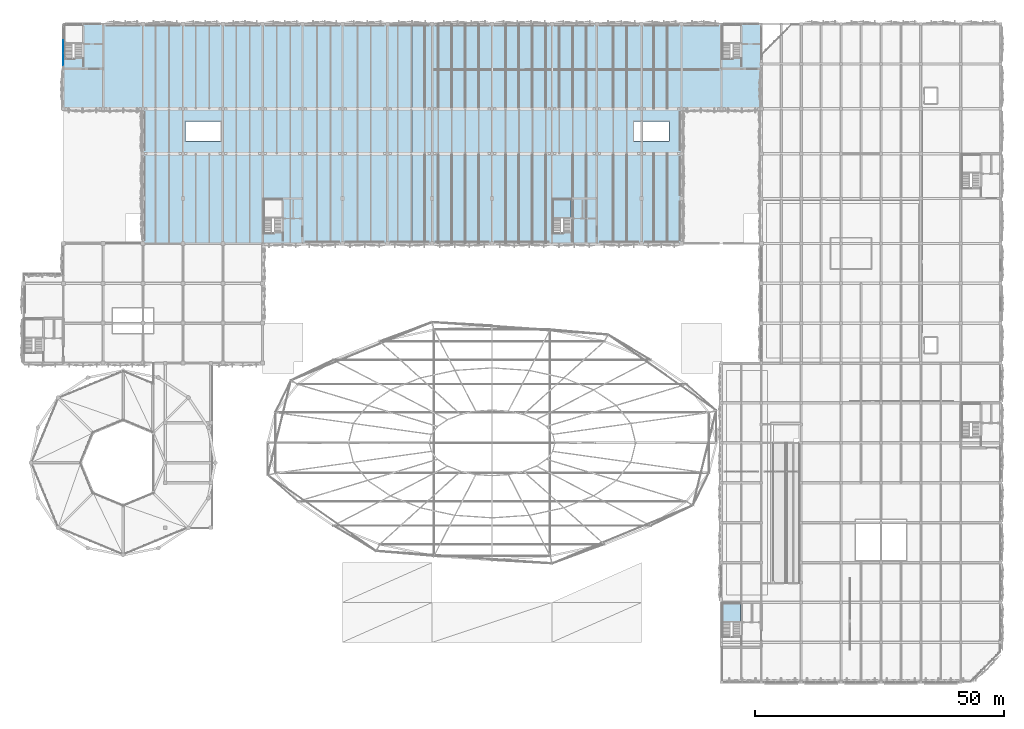
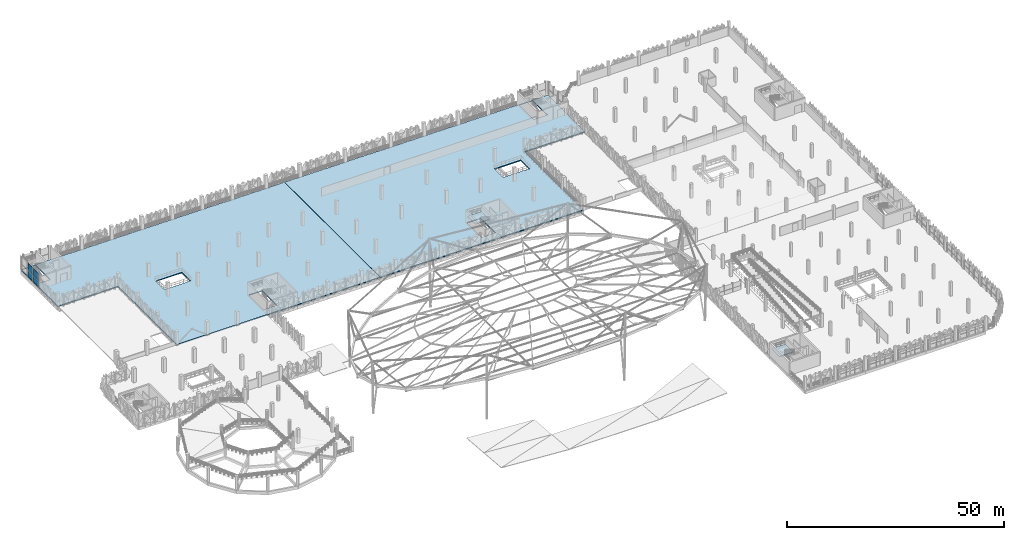
# One storey, part 37 of 96: 4 plates, 4 slabs, 3 elements without a shape of their own.
"""IFC4 building model written with IfcOpenShell, lengths in metres."""

import ifcopenshell
import ifcopenshell.guid

model = None  # the IFC model being written
_history = None  # IfcOwnerHistory: only IFC2X3 demands one
_inside = {}  # id of a spatial element -> (the spatial element, [elements in it])
_under = {}  # id of a project, library or spatial element -> (it, [spatial elements below it])
_declared = {}  # id of a project -> (the project, [libraries it declares])
_typed = {}  # id of a type object -> (the type object, [elements of that type])
_made_of = {}  # id of a material, layer set ... -> (it, [elements and type objects made of it])


def new_model(schema):
    """Start an empty IFC model of exactly this schema.

    Asked for "IFC4X3", IfcOpenShell would pick the latest addendum, in which some entities
    have other attributes; the version numbers below select the first issue.
    IFC2X3 requires an IfcOwnerHistory on every rooted entity: one is made here for all.
    """
    global model, _history
    if schema == "IFC4X3":
        model = ifcopenshell.file(schema_version=(4, 3, 0, 0))
    else:
        model = ifcopenshell.file(schema=schema)
    _inside.clear()
    _under.clear()
    _declared.clear()
    _typed.clear()
    _made_of.clear()
    _history = None
    if model.schema == "IFC2X3":
        org = make("IfcOrganization", Name="unknown")
        user = make(
            "IfcPersonAndOrganization",
            ThePerson=make("IfcPerson", FamilyName="unknown"),
            TheOrganization=org,
        )
        app = make(
            "IfcApplication",
            ApplicationDeveloper=org,
            Version="unknown",
            ApplicationFullName="unknown",
            ApplicationIdentifier="unknown",
        )
        _history = make(
            "IfcOwnerHistory",
            OwningUser=user,
            OwningApplication=app,
            ChangeAction="ADDED",
            CreationDate=0,
        )
    return model


def make(cls, **values):
    """One entity of the class cls with the attributes given. An attribute that is None is left unset."""
    return model.create_entity(
        cls, **{name: value for name, value in values.items() if value is not None}
    )


def rooted(cls, **values):
    """An entity with a GlobalId (a new one), such as an element, a storey or a relation."""
    return make(cls, GlobalId=ifcopenshell.guid.new(), OwnerHistory=_history, **values)


def si_unit(unit_type, name, prefix=None):
    """IfcSIUnit, for example si_unit("LENGTHUNIT", "METRE", prefix="MILLI")."""
    return make("IfcSIUnit", UnitType=unit_type, Prefix=prefix, Name=name)


def derived_unit(unit_type, elements):
    """IfcDerivedUnit: a product of units, each with its exponent."""
    return make(
        "IfcDerivedUnit",
        Elements=[
            make("IfcDerivedUnitElement", Unit=unit, Exponent=power)
            for unit, power in elements
        ],
        UnitType=unit_type,
    )


def assignment(units):
    """IfcUnitAssignment: the units of a project."""
    return None if units is None else make("IfcUnitAssignment", Units=units)


def point(xyz):
    """IfcCartesianPoint."""
    return None if xyz is None else make("IfcCartesianPoint", Coordinates=xyz)


def direction(xyz):
    """IfcDirection."""
    return None if xyz is None else make("IfcDirection", DirectionRatios=xyz)


def frame(location, z_axis=None, x_axis=None):
    """IfcAxis2Placement3D, a coordinate frame: its origin and axes. An axis left out is left unset."""
    return make(
        "IfcAxis2Placement3D",
        Location=point(location),
        Axis=direction(z_axis),
        RefDirection=direction(x_axis),
    )


def frame_2d(location, x_axis=None):
    """IfcAxis2Placement2D, a coordinate frame in the plane: its origin and x axis."""
    return make(
        "IfcAxis2Placement2D", Location=point(location), RefDirection=direction(x_axis)
    )


def origin():
    """The frame at (0, 0, 0) with its axes left unset."""
    return frame((0.0, 0.0, 0.0))


def origin_2d():
    """The frame at (0, 0) in the plane with its x axis left unset."""
    return frame_2d((0.0, 0.0))


def place(relative_to, where):
    """IfcLocalPlacement: puts the frame where relative to a parent placement (None: the world)."""
    return make(
        "IfcLocalPlacement", PlacementRelTo=relative_to, RelativePlacement=where
    )


def context(
    kind, dimensions, precision=None, world=None, true_north=None, identifier=None
):
    """IfcGeometricRepresentationContext, for example the 3D "Model" context."""
    return make(
        "IfcGeometricRepresentationContext",
        ContextIdentifier=identifier,
        ContextType=kind,
        CoordinateSpaceDimension=dimensions,
        Precision=precision,
        WorldCoordinateSystem=world,
        TrueNorth=true_north,
    )


def subcontext(parent, identifier, kind, view, scale=None):
    """IfcGeometricRepresentationSubContext, for example "Body" below "Model"."""
    return make(
        "IfcGeometricRepresentationSubContext",
        ContextIdentifier=identifier,
        ContextType=kind,
        ParentContext=parent,
        TargetScale=scale,
        TargetView=view,
    )


def project(units=None, contexts=None):
    """IfcProject with its units and contexts."""
    return rooted(
        "IfcProject",
        Name="project",
        RepresentationContexts=contexts,
        UnitsInContext=assignment(units),
    )


def spatial(cls, under=None, at=None, **own):
    """A site, building, storey or space (cls), placed at a placement, below another one or the project."""
    s = rooted(cls, ObjectPlacement=at, **own)
    if under is not None:
        _under.setdefault(under.id(), (under, []))[1].append(s)
    return s


def polyline(points):
    """IfcPolyline through the points."""
    return make("IfcPolyline", Points=[point(p) for p in points])


def profile(cls, at=None, kind="AREA", **sizes):
    """A parametric profile (cls). Its sizes go by their IFC names, for example OverallWidth=200.0."""
    return make(cls, ProfileType=kind, Position=at, **sizes)


def rectangle(**sizes):
    """IfcRectangleProfileDef."""
    return profile("IfcRectangleProfileDef", **sizes)


def outline(outer, holes=None, kind="AREA"):
    """IfcArbitraryClosedProfileDef: a profile drawn as a closed curve; with holes, ...WithVoids."""
    if holes is None:
        return make("IfcArbitraryClosedProfileDef", ProfileType=kind, OuterCurve=outer)
    return make(
        "IfcArbitraryProfileDefWithVoids",
        ProfileType=kind,
        OuterCurve=outer,
        InnerCurves=holes,
    )


def extrude(swept, where, along, depth):
    """IfcExtrudedAreaSolid: the profile swept, set in the frame where, extruded along a direction by depth."""
    return make(
        "IfcExtrudedAreaSolid",
        SweptArea=swept,
        Position=where,
        ExtrudedDirection=direction(along),
        Depth=depth,
    )


def shape(context_of_items, identifier, shape_type, items):
    """IfcShapeRepresentation: the items that make up one representation, for example the "Body"."""
    return make(
        "IfcShapeRepresentation",
        ContextOfItems=context_of_items,
        RepresentationIdentifier=identifier,
        RepresentationType=shape_type,
        Items=items,
    )


def material(Name=None, Category=None):
    """IfcMaterial."""
    return make("IfcMaterial", Name=Name, Category=Category)


def layer(
    of_material, thickness, ventilated=None, Name=None, Category=None, Priority=None
):
    """IfcMaterialLayer: one layer of a wall or slab, of a material (None: an air gap)."""
    return make(
        "IfcMaterialLayer",
        Material=of_material,
        LayerThickness=thickness,
        IsVentilated=ventilated,
        Name=Name,
        Category=Category,
        Priority=Priority,
    )


def layer_set(layers, Name=None):
    """IfcMaterialLayerSet."""
    return make("IfcMaterialLayerSet", MaterialLayers=layers, LayerSetName=Name)


def made_of(thing, what):
    """Note that an element or type object is made of a material, layer set ...; save() writes the relation."""
    if what is not None:
        _made_of.setdefault(what.id(), (what, []))[1].append(thing)
    return thing


def type_object(cls, material=None, **own):
    """A type object (cls), such as IfcWallType, which elements share."""
    return made_of(rooted(cls, **own), material)


def element(
    cls,
    number,
    at=None,
    inside=None,
    cuts=None,
    type_object=None,
    material=None,
    context=None,
    identifier="Body",
    shape_type=None,
    held_by="IfcProductDefinitionShape",
    body=None,
    shapes=None,
    **own,
):
    """One element of the class cls, such as IfcWall. Its Tag is "e" and its number.

    at: its placement. inside: the storey or other place that contains it. cuts: it is an
    opening in that element (IfcRelVoidsElement). A single representation is given by context,
    identifier, shape_type and body (its items); several are given by shapes. held_by: the class
    of the entity that holds the representations. save() writes the other relations.
    """
    e = rooted(cls, Tag="e%d" % number, ObjectPlacement=at, **own)
    if body is not None:
        shapes = [shape(context, identifier, shape_type, body)]
    if shapes is not None:
        e.Representation = make(held_by, Representations=shapes)
    if inside is not None:
        _inside.setdefault(inside.id(), (inside, []))[1].append(e)
    if cuts is not None:
        rooted(
            "IfcRelVoidsElement", RelatingBuildingElement=cuts, RelatedOpeningElement=e
        )
    if type_object is not None:
        _typed.setdefault(type_object.id(), (type_object, []))[1].append(e)
    return made_of(e, material)


def aggregate(whole, parts):
    """IfcRelAggregates: a whole, such as a stair, and the parts it consists of."""
    return rooted("IfcRelAggregates", RelatingObject=whole, RelatedObjects=parts)


def save(model, path):
    """Write the relations noted so far, then the file.

    IfcRelAggregates (storeys below a building ...), IfcRelContainedInSpatialStructure (elements
    in a storey), IfcRelDefinesByType, IfcRelAssociatesMaterial and IfcRelDeclares: one each for
    every whole, place, type object, material and project.
    """
    for whole, parts in _under.values():
        aggregate(whole, parts)
    for where, things in _inside.values():
        rooted(
            "IfcRelContainedInSpatialStructure",
            RelatedElements=things,
            RelatingStructure=where,
        )
    for kind, things in _typed.values():
        rooted("IfcRelDefinesByType", RelatedObjects=things, RelatingType=kind)
    for what, things in _made_of.values():
        rooted("IfcRelAssociatesMaterial", RelatedObjects=things, RelatingMaterial=what)
    for by, libraries in _declared.values():
        rooted("IfcRelDeclares", RelatingContext=by, RelatedDefinitions=libraries)
    model.write(path)


model = new_model("IFC4")

# Units and contexts
model_context = context("Model", 3, precision=1e-05, world=origin(), true_north=direction((0.0, 1.0)))
body_context = subcontext(model_context, "Body", "Model", "MODEL_VIEW")
ifc_project = project(units=[si_unit("LENGTHUNIT", "METRE"), si_unit("AREAUNIT", "SQUARE_METRE"), si_unit("VOLUMEUNIT", "CUBIC_METRE"), si_unit("PLANEANGLEUNIT", "RADIAN"), si_unit("MASSUNIT", "GRAM", prefix="KILO"), si_unit("THERMODYNAMICTEMPERATUREUNIT", "KELVIN"), derived_unit("THERMALTRANSMITTANCEUNIT", [(si_unit("POWERUNIT", "WATT"), 1), (si_unit("AREAUNIT", "SQUARE_METRE"), -1), (si_unit("THERMODYNAMICTEMPERATUREUNIT", "KELVIN"), -1)])], contexts=[model_context])

# Site, building, storey
site_placement = place(None, origin())
site = spatial("IfcSite", under=ifc_project, at=site_placement, CompositionType="ELEMENT")
building_placement = place(site_placement, origin())
building = spatial("IfcBuilding", under=site, at=building_placement, Name="Haiyu Intermodal Mobility Hub", CompositionType="ELEMENT")
storey_placement = place(building_placement, frame((0.0, 0.0, 9.5)))
storey = spatial("IfcBuildingStorey", under=building, at=storey_placement, Name="L02", CompositionType="ELEMENT", Elevation=9.5)

# Curtain wall, plates
ifc_material_1 = material(Name="Low-e laminated insulating glass", Category="glass")
ifc_layer_1 = layer(ifc_material_1, 0.199951171875)
ifc_layer_set_1 = layer_set([ifc_layer_1], Name="Low-e laminated insulating glass")
curtain_wall_type = type_object("IfcCurtainWallType", Name="CW-CW03", PredefinedType="NOTDEFINED", material=ifc_layer_set_1)
curtain_wall_placement = place(storey_placement, origin())
curtain_wall = element("IfcCurtainWall", 1, at=curtain_wall_placement, inside=storey, type_object=curtain_wall_type, Name="Curtain Wall CW-C3S-L02-054", PredefinedType="NOTDEFINED")
ifc_layer_2 = layer(ifc_material_1, 0.0400390625)
ifc_layer_set_2 = layer_set([ifc_layer_2], Name="Low-e laminated insulating glass")
plate_type_1 = type_object("IfcPlateType", Name="PLT-CP03", PredefinedType="CURTAIN_PANEL", material=ifc_layer_set_2)
plate_1_placement = place(storey_placement, frame((22.0, 143.5, 0.03515625), z_axis=(0.0, 0.0, 1.0), x_axis=(0.0, -1.0, 0.0)))
plate_1 = element("IfcPlate", 2, at=plate_1_placement, type_object=plate_type_1, Name="CW-C3S-L02-054-PN03", PredefinedType="CURTAIN_PANEL", context=body_context, shape_type="SweptSolid", body=[
    extrude(rectangle(XDim=2.469970703125, YDim=0.0400390625, at=origin_2d()), origin(), (0.0, 0.0, 1.0), 1.840087890625),
])
plate_2_placement = place(storey_placement, frame((22.0, 140.93994140625, 0.03515625), z_axis=(0.0, 0.0, 1.0), x_axis=(0.0, -1.0, 0.0)))
plate_2 = element("IfcPlate", 3, at=plate_2_placement, type_object=plate_type_1, Name="CW-C3S-L02-054-PN05", PredefinedType="CURTAIN_PANEL", context=body_context, shape_type="SweptSolid", body=[
    extrude(rectangle(XDim=2.469970703125, YDim=0.0400390625, at=origin_2d()), origin(), (0.0, 0.0, 1.0), 1.840087890625),
])
ifc_layer_3 = layer(ifc_material_1, 0.0439453125)
ifc_layer_set_3 = layer_set([ifc_layer_3], Name="Low-e laminated insulating glass")
plate_type_2 = type_object("IfcPlateType", Name="PLT-CP04", PredefinedType="CURTAIN_PANEL", material=ifc_layer_set_3)
plate_3_placement = place(storey_placement, frame((22.0, 143.5, 1.94482421875), z_axis=(0.0, 0.0, 1.0), x_axis=(0.0, -1.0, 0.0)))
plate_3 = element("IfcPlate", 4, at=plate_3_placement, type_object=plate_type_2, Name="CW-C3S-L02-054-PN04", PredefinedType="CURTAIN_PANEL", context=body_context, shape_type="SweptSolid", body=[
    extrude(rectangle(XDim=2.469970703125, YDim=0.0439453125, at=origin_2d()), origin(), (0.0, 0.0, 1.0), 1.840087890625),
])
plate_4_placement = place(storey_placement, frame((22.0, 140.93994140625, 1.94482421875), z_axis=(0.0, 0.0, 1.0), x_axis=(0.0, -1.0, 0.0)))
plate_4 = element("IfcPlate", 5, at=plate_4_placement, type_object=plate_type_2, Name="CW-C3S-L02-054-PN06", PredefinedType="CURTAIN_PANEL", context=body_context, shape_type="SweptSolid", body=[
    extrude(rectangle(XDim=2.469970703125, YDim=0.0439453125, at=origin_2d()), origin(), (0.0, 0.0, 1.0), 1.840087890625),
])
aggregate(curtain_wall, [plate_1, plate_3, plate_2, plate_4])

# Slabs
ifc_material_2 = material(Name="Concrete C40", Category="concrete")
ifc_layer_4 = layer(ifc_material_2, 0.219970703125)
ifc_layer_set_4 = layer_set([ifc_layer_4], Name="Concrete C40")
slab_type_1 = type_object("IfcSlabType", Name="SLB-SL04", PredefinedType="FLOOR", material=ifc_layer_set_4)
slab_1_placement = place(storey_placement, frame((0.0, 0.0, -0.264892578125)))
element("IfcSlab", 6, at=slab_1_placement, inside=storey, type_object=slab_type_1, Name="L02 Precast Parking West Deck", PredefinedType="FLOOR", context=body_context, shape_type="SweptSolid", body=[
    extrude(outline(polyline([(38.0, 104.0), (91.97998046875, 104.0), (91.97998046875, 148.0), (22.0, 148.0), (22.0, 131.0), (38.0, 131.0), (38.0, 104.0)]), holes=[polyline([(22.219970703125, 141.14990234375), (25.85009765625, 141.14990234375), (25.85009765625, 147.949951171875), (22.219970703125, 147.949951171875), (22.219970703125, 141.14990234375)]), polyline([(62.219970703125, 106.14990234375), (65.85009765625, 106.14990234375), (65.85009765625, 112.949951171875), (62.219970703125, 112.949951171875), (62.219970703125, 106.14990234375)]), polyline([(46.5, 124.5), (53.5, 124.5), (53.5, 128.5), (46.5, 128.5), (46.5, 124.5)])]), origin(), (0.0, 0.0, 1.0), 0.264892578125),
])
ifc_layer_5 = layer(ifc_material_2, 0.239990234375)
ifc_layer_set_5 = layer_set([ifc_layer_5], Name="Concrete C40")
slab_type_2 = type_object("IfcSlabType", Name="SLB-SL05", PredefinedType="FLOOR", material=ifc_layer_set_5)
slab_2_placement = place(storey_placement, frame((0.0, 0.0, -0.27490234375)))
element("IfcSlab", 7, at=slab_2_placement, inside=storey, type_object=slab_type_2, Name="L02 Precast Parking & EV East Deck", PredefinedType="FLOOR", context=body_context, shape_type="SweptSolid", body=[
    extrude(outline(polyline([(92.02001953125, 104.0), (146.0, 104.0), (146.0, 131.0), (162.0, 131.0), (162.0, 148.0), (92.02001953125, 148.0), (92.02001953125, 104.0)]), holes=[polyline([(154.219970703125, 141.14990234375), (157.85009765625, 141.14990234375), (157.85009765625, 147.949951171875), (154.219970703125, 147.949951171875), (154.219970703125, 141.14990234375)]), polyline([(120.219970703125, 106.14990234375), (123.85009765625, 106.14990234375), (123.85009765625, 112.949951171875), (120.219970703125, 112.949951171875), (120.219970703125, 106.14990234375)]), polyline([(136.5, 124.5), (143.5, 124.5), (143.5, 128.5), (136.5, 128.5), (136.5, 124.5)])]), origin(), (0.0, 0.0, 1.0), 0.27490234375),
])

# Stair, slab
stair_type_1 = type_object("IfcStairType", Name="STR-ST02", PredefinedType="HALF_TURN_STAIR", material=ifc_material_2)
stair_1_placement = place(storey_placement, origin())
stair_1 = element("IfcStair", 8, at=stair_1_placement, inside=storey, type_object=stair_type_1, Name="Exit Stair ST01 L02", PredefinedType="HALF_TURN_STAIR")
ifc_layer_6 = layer(ifc_material_2, 0.2099609375)
ifc_layer_set_6 = layer_set([ifc_layer_6], Name="Concrete C40")
slab_type_3 = type_object("IfcSlabType", Name="SLB-SL13", PredefinedType="LANDING", material=ifc_layer_set_6)
slab_3_placement = place(storey_placement, frame((0.0, 0.0, 1.739990234375)))
slab_3 = element("IfcSlab", 9, at=slab_3_placement, type_object=slab_type_3, Name="Stair Half-Landing STR-C6-L02-LND", PredefinedType="LANDING", context=body_context, shape_type="SweptSolid", body=[
    extrude(outline(polyline([(120.219970703125, 109.1298828125), (123.8701171875, 109.1298828125), (123.8701171875, 112.780029296875), (120.219970703125, 112.780029296875), (120.219970703125, 109.1298828125)])), origin(), (0.0, 0.0, 1.0), 0.2099609375),
])
aggregate(stair_1, [slab_3])

stair_type_2 = type_object("IfcStairType", Name="STR-ST03", PredefinedType="HALF_TURN_STAIR", material=ifc_material_2)
stair_2_placement = place(storey_placement, origin())
stair_2 = element("IfcStair", 10, at=stair_2_placement, inside=storey, type_object=stair_type_2, Name="Exit Stair ST02 L02", PredefinedType="HALF_TURN_STAIR")
slab_4_placement = place(storey_placement, frame((0.0, 0.0, 1.739990234375)))
slab_4 = element("IfcSlab", 11, at=slab_4_placement, type_object=slab_type_3, Name="Stair Half-Landing STR-C8-L02-LND", PredefinedType="LANDING", context=body_context, shape_type="SweptSolid", body=[
    extrude(outline(polyline([(154.219970703125, 28.1298828125), (157.8701171875, 28.1298828125), (157.8701171875, 31.780029296875), (154.219970703125, 31.780029296875), (154.219970703125, 28.1298828125)])), origin(), (0.0, 0.0, 1.0), 0.2099609375),
])
aggregate(stair_2, [slab_4])

save(model, "model.ifc")
